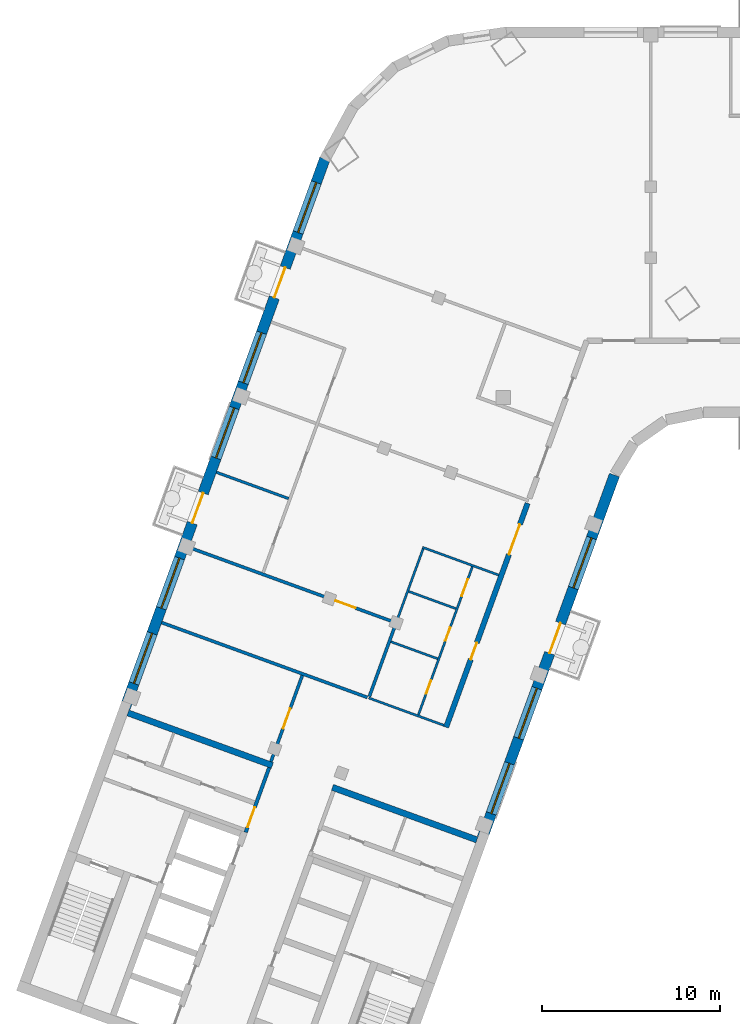
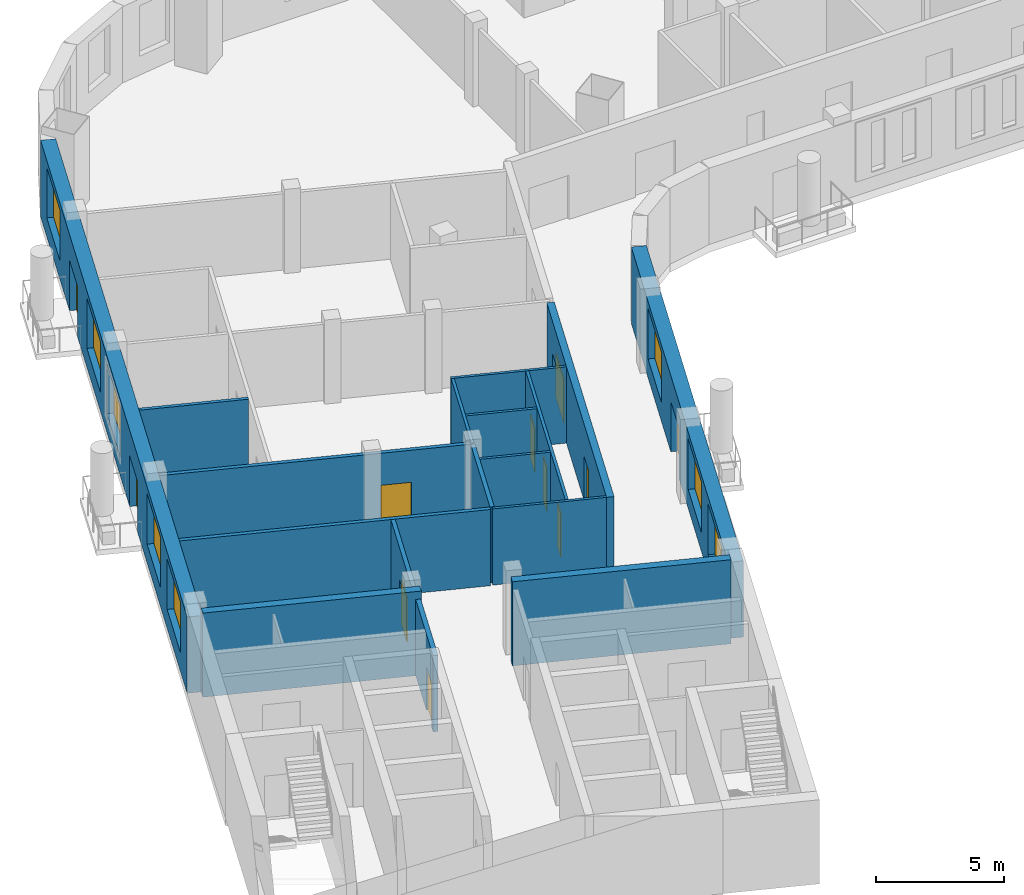
# One storey, part 3 of 11: 17 walls, 11 doors, 8 windows, 19 openings.
"""IFC4 building model written with IfcOpenShell, lengths in metres."""

from ifc_helpers import new_model, si_unit, direction, frame, frame_2d, origin, place, context, subcontext, project, spatial, rectangle, extrude, material, layer, layer_set, type_object, element, fill, save


model = new_model("IFC4")

# Units and contexts
model_context = context("Model", 3, precision=1e-05, world=origin(), true_north=direction((0.0, 1.0)))
body_context = subcontext(model_context, "Body", "Model", "MODEL_VIEW")
ifc_project = project(units=[si_unit("LENGTHUNIT", "METRE"), si_unit("AREAUNIT", "SQUARE_METRE"), si_unit("VOLUMEUNIT", "CUBIC_METRE"), si_unit("PLANEANGLEUNIT", "RADIAN"), si_unit("MASSUNIT", "GRAM", prefix="KILO")], contexts=[model_context])

# Site, building, storey
site_placement = place(None, origin())
site = spatial("IfcSite", under=ifc_project, at=site_placement, CompositionType="ELEMENT")
building_placement = place(site_placement, origin())
building = spatial("IfcBuilding", under=site, at=building_placement, Name="Skarvind Civic Tower", CompositionType="ELEMENT")
storey_placement = place(building_placement, frame((0.0, 0.0, 142.5)))
storey = spatial("IfcBuildingStorey", under=building, at=storey_placement, Name="L33", CompositionType="ELEMENT", Elevation=142.5)

# Wall
ifc_material_1 = material(Name="Acoustic gypsum board on steel studs", Category="steel")
ifc_layer_1 = layer(ifc_material_1, 0.175048828125)
ifc_layer_set_1 = layer_set([ifc_layer_1], Name="ACOUSTIC MEETING-ROOM PARTITION 175")
wall_type_1 = type_object("IfcWallType", Name="ACOUSTIC MEETING-ROOM PARTITION 175", PredefinedType="PARTITIONING", material=ifc_layer_set_1)
wall_1_placement = place(storey_placement, frame((26.736083984375, 105.47998046875, 0.0), z_axis=(0.0, 0.0, 1.0), x_axis=(0.939721611154, -0.341940482438, 0.0)))
element("IfcWall", 1, at=wall_1_placement, inside=storey, type_object=wall_type_1, Name="Partition 33.001", PredefinedType="PARTITIONING", context=body_context, shape_type="SweptSolid", body=[
    extrude(rectangle(XDim=12.31201171875, YDim=0.175048828125, at=frame_2d((6.156005859375, 0.0))), origin(), (0.0, 0.0, 1.0), 3.625),
])

# Wall, opening, door
wall_2_placement = place(storey_placement, frame((32.881103515625, 97.656982421875, 0.0), z_axis=(0.0, 0.0, 1.0), x_axis=(0.342058204353, 0.939678766832, 0.0)))
wall_2 = element("IfcWall", 2, at=wall_2_placement, inside=storey, type_object=wall_type_1, Name="Partition 33.006", PredefinedType="PARTITIONING", context=body_context, shape_type="SweptSolid", body=[
    extrude(rectangle(XDim=5.16259765625, YDim=0.175048828125, at=frame_2d((2.581298828125, 0.0))), origin(), (0.0, 0.0, 1.0), 3.625),
])
opening_1_placement = place(wall_2_placement, frame((1.9912109375, 0.0, 0.0)))
opening_1 = element("IfcOpeningElement", 3, at=opening_1_placement, cuts=wall_2, Name="Opening L33-D012", PredefinedType="OPENING", context=body_context, shape_type="SweptSolid", body=[
    extrude(rectangle(XDim=1.199951171875, YDim=2.10009765625, at=frame_2d((0.60009765625, 1.050048828125))), frame((0.0, 0.097412109375, 0.0), z_axis=(0.0, -1.0, 0.0), x_axis=(1.0, 0.0, 0.0)), (0.0, 0.0, 1.0), 0.195068359375),
])
ifc_material_2 = material(Name="Timber door leaf", Category="wood")
door_type_1 = type_object("IfcDoorType", Name="DOOR 1200X2100 DOUBLE TIMBER", OperationType="NOTDEFINED", PredefinedType="DOOR", material=ifc_material_2)
door_1_placement = place(opening_1_placement, origin())
door_1 = element("IfcDoor", 4, at=door_1_placement, inside=storey, type_object=door_type_1, Name="Door L33-D012", OperationType="DOUBLE_DOOR_SINGLE_SWING", OverallHeight=2.10009765625, OverallWidth=1.199951171875, PredefinedType="DOOR", context=body_context, shape_type="SweptSolid", body=[
    extrude(rectangle(XDim=1.199951171875, YDim=2.10009765625, at=frame_2d((0.60009765625, 1.050048828125))), frame((0.0, 0.02490234375, 0.0), z_axis=(0.0, -1.0, 0.0), x_axis=(1.0, 0.0, 0.0)), (0.0, 0.0, 1.0), 0.050048828125),
])
fill(opening_1, door_1)

# Wall
wall_3_placement = place(storey_placement, frame((38.41796875, 101.322021484375, 0.0), z_axis=(0.0, 0.0, 1.0), x_axis=(0.341987815327, 0.939704386585, 0.0)))
element("IfcWall", 5, at=wall_3_placement, inside=storey, type_object=wall_type_1, Name="Partition 33.009", PredefinedType="PARTITIONING", context=body_context, shape_type="SweptSolid", body=[
    extrude(rectangle(XDim=4.32470703125, YDim=0.175048828125, at=frame_2d((2.162353515625, 0.0))), origin(), (0.0, 0.0, 1.0), 3.625),
])

# Wall, opening, door
wall_4_placement = place(storey_placement, frame((28.27490234375, 109.708984375, 0.0), z_axis=(0.0, 0.0, 1.0), x_axis=(0.939698441386, -0.342004150936, 0.0)))
wall_4 = element("IfcWall", 6, at=wall_4_placement, inside=storey, type_object=wall_type_1, Name="Partition 33.011", PredefinedType="PARTITIONING", context=body_context, shape_type="SweptSolid", body=[
    extrude(rectangle(XDim=12.3125, YDim=0.175048828125, at=frame_2d((6.15625, 0.0))), origin(), (0.0, 0.0, 1.0), 3.625),
])
opening_2_placement = place(wall_4_placement, frame((8.764892578125, 0.0, 0.0)))
opening_2 = element("IfcOpeningElement", 7, at=opening_2_placement, cuts=wall_4, Name="Opening L33-D024", PredefinedType="OPENING", context=body_context, shape_type="SweptSolid", body=[
    extrude(rectangle(XDim=1.199951171875, YDim=2.10009765625, at=frame_2d((0.60009765625, 1.050048828125))), frame((0.0, 0.097412109375, 0.0), z_axis=(0.0, -1.0, 0.0), x_axis=(1.0, 0.0, 0.0)), (0.0, 0.0, 1.0), 0.195068359375),
])
door_2_placement = place(opening_2_placement, origin())
door_2 = element("IfcDoor", 8, at=door_2_placement, inside=storey, type_object=door_type_1, Name="Door L33-D024", OperationType="DOUBLE_DOOR_SINGLE_SWING", OverallHeight=2.10009765625, OverallWidth=1.199951171875, PredefinedType="DOOR", context=body_context, shape_type="SweptSolid", body=[
    extrude(rectangle(XDim=1.199951171875, YDim=2.10009765625, at=frame_2d((0.60009765625, 1.050048828125))), frame((0.0, 0.02490234375, 0.0), z_axis=(0.0, -1.0, 0.0), x_axis=(1.0, 0.0, 0.0)), (0.0, 0.0, 1.0), 0.050048828125),
])
fill(opening_2, door_2)

# Wall, openings, doors
ifc_material_3 = material(Name="Fire-rated gypsum board on steel studs", Category="steel")
ifc_layer_2 = layer(ifc_material_3, 0.300048828125)
ifc_layer_set_2 = layer_set([ifc_layer_2], Name="CORRIDOR WALL 300")
wall_type_2 = type_object("IfcWallType", Name="CORRIDOR WALL 300", PredefinedType="PARTITIONING", material=ifc_layer_set_2)
wall_5_placement = place(storey_placement, frame((47.324951171875, 112.197021484375, 0.0), z_axis=(0.0, 0.0, 1.0), x_axis=(-0.341976837053, -0.93970838185, 0.0)))
wall_5 = element("IfcWall", 9, at=wall_5_placement, inside=storey, type_object=wall_type_2, Name="Partition 33.018", PredefinedType="PARTITIONING", context=body_context, shape_type="SweptSolid", body=[
    extrude(rectangle(XDim=13.415771484375, YDim=0.300048828125, at=frame_2d((6.7080078125, 0.0))), origin(), (0.0, 0.0, 1.0), 3.625),
])
opening_3_placement = place(wall_5_placement, frame((8.353515625, 0.0, 0.0)))
opening_3 = element("IfcOpeningElement", 10, at=opening_3_placement, cuts=wall_5, Name="Opening L33-D013", PredefinedType="OPENING", context=body_context, shape_type="SweptSolid", body=[
    extrude(rectangle(XDim=1.0, YDim=2.10009765625, at=frame_2d((0.5, 1.050048828125))), frame((0.0, 0.159912109375, 0.0), z_axis=(0.0, -1.0, 0.0), x_axis=(1.0, 0.0, 0.0)), (0.0, 0.0, 1.0), 0.320068359375),
])
opening_4_placement = place(wall_5_placement, frame((1.2666015625, 0.0, 0.0)))
opening_4 = element("IfcOpeningElement", 11, at=opening_4_placement, cuts=wall_5, Name="Opening L33-D019", PredefinedType="OPENING", context=body_context, shape_type="SweptSolid", body=[
    extrude(rectangle(XDim=1.800048828125, YDim=2.10009765625, at=frame_2d((0.89990234375, 1.050048828125))), frame((0.0, 0.159912109375, 0.0), z_axis=(0.0, -1.0, 0.0), x_axis=(1.0, 0.0, 0.0)), (0.0, 0.0, 1.0), 0.320068359375),
])
ifc_material_4 = material(Name="Fire-rated timber door leaf", Category="wood")
door_type_2 = type_object("IfcDoorType", Name="FD1 1000x2100", OperationType="NOTDEFINED", PredefinedType="DOOR", material=ifc_material_4)
door_3_placement = place(opening_3_placement, origin())
door_3 = element("IfcDoor", 12, at=door_3_placement, inside=storey, type_object=door_type_2, Name="Door L33-D013", OperationType="SINGLE_SWING_LEFT", OverallHeight=2.10009765625, OverallWidth=1.0, PredefinedType="DOOR", context=body_context, shape_type="SweptSolid", body=[
    extrude(rectangle(XDim=1.0, YDim=2.10009765625, at=frame_2d((0.5, 1.050048828125))), frame((0.0, 0.02490234375, 0.0), z_axis=(0.0, -1.0, 0.0), x_axis=(1.0, 0.0, 0.0)), (0.0, 0.0, 1.0), 0.050048828125),
])
fill(opening_3, door_3)
door_type_3 = type_object("IfcDoorType", Name="FD4 1800x2100", OperationType="NOTDEFINED", PredefinedType="DOOR", material=ifc_material_4)
door_4_placement = place(opening_4_placement, origin())
door_4 = element("IfcDoor", 13, at=door_4_placement, inside=storey, type_object=door_type_3, Name="Door L33-D019", OperationType="DOUBLE_DOOR_SINGLE_SWING", OverallHeight=2.10009765625, OverallWidth=1.800048828125, PredefinedType="DOOR", context=body_context, shape_type="SweptSolid", body=[
    extrude(rectangle(XDim=1.800048828125, YDim=2.10009765625, at=frame_2d((0.89990234375, 1.050048828125))), frame((0.0, 0.02490234375, 0.0), z_axis=(0.0, -1.0, 0.0), x_axis=(1.0, 0.0, 0.0)), (0.0, 0.0, 1.0), 0.050048828125),
])
fill(opening_4, door_4)

# Wall, opening, door
ifc_material_5 = material(Name="Fire-rated masonry partition", Category="masonry")
ifc_layer_3 = layer(ifc_material_5, 0.199951171875)
ifc_layer_set_3 = layer_set([ifc_layer_3], Name="Core enclosure wall 200")
wall_type_3 = type_object("IfcWallType", Name="Core enclosure wall 200", PredefinedType="PARTITIONING", material=ifc_layer_set_3)
wall_6_placement = place(storey_placement, frame((31.45947265625, 93.67822265625, 0.0), z_axis=(0.0, 0.0, 1.0), x_axis=(0.341985870128, 0.939705094502, 0.0)))
wall_6 = element("IfcWall", 14, at=wall_6_placement, inside=storey, type_object=wall_type_3, Name="Core wall C2", PredefinedType="PARTITIONING", context=body_context, shape_type="SweptSolid", body=[
    extrude(rectangle(XDim=3.875, YDim=0.199951171875, at=frame_2d((1.9375, 0.0))), origin(), (0.0, 0.0, 1.0), 3.625),
])
opening_5_placement = place(wall_6_placement, frame((0.300048828125, 0.0, 0.0)))
opening_5 = element("IfcOpeningElement", 15, at=opening_5_placement, cuts=wall_6, Name="Opening D-L33-C2-07", PredefinedType="OPENING", context=body_context, shape_type="SweptSolid", body=[
    extrude(rectangle(XDim=1.199951171875, YDim=2.10009765625, at=frame_2d((0.60009765625, 1.050048828125))), frame((0.0, 0.10986328125, 0.0), z_axis=(0.0, -1.0, 0.0), x_axis=(1.0, 0.0, 0.0)), (0.0, 0.0, 1.0), 0.219970703125),
])
ifc_material_6 = material(Name="Fire-rated steel door", Category="steel")
door_type_4 = type_object("IfcDoorType", Name="Core lobby door 1200", OperationType="NOTDEFINED", PredefinedType="DOOR", material=ifc_material_6)
door_5_placement = place(opening_5_placement, origin())
door_5 = element("IfcDoor", 16, at=door_5_placement, inside=storey, type_object=door_type_4, Name="Fire door", OperationType="DOUBLE_DOOR_SINGLE_SWING", OverallHeight=2.10009765625, OverallWidth=1.199951171875, PredefinedType="DOOR", context=body_context, shape_type="SweptSolid", body=[
    extrude(rectangle(XDim=1.199951171875, YDim=2.10009765625, at=frame_2d((0.60009765625, 1.050048828125))), frame((0.0, 0.02490234375, 0.0), z_axis=(0.0, -1.0, 0.0), x_axis=(1.0, 0.0, 0.0)), (0.0, 0.0, 1.0), 0.050048828125),
])
fill(opening_5, door_5)

# Walls
ifc_material_7 = material(Name="Concrete C60", Category="concrete")
ifc_layer_4 = layer(ifc_material_7, 0.35009765625)
ifc_layer_set_4 = layer_set([ifc_layer_4], Name="Core wall 350 C60")
wall_type_4 = type_object("IfcWallType", Name="Core wall 350 C60", PredefinedType="SHEAR", material=ifc_layer_set_4)
wall_7_placement = place(storey_placement, frame((44.473388671875, 93.25146484375, 0.0), z_axis=(0.0, 0.0, 1.0), x_axis=(-0.939692847377, 0.34201952077, 0.0)))
element("IfcWall", 17, at=wall_7_placement, inside=storey, type_object=wall_type_4, Name="Core wall C2 south inner face L33", PredefinedType="SHEAR", context=body_context, shape_type="SweptSolid", body=[
    extrude(rectangle(XDim=8.650146484375, YDim=0.35009765625, at=frame_2d((4.3251953125, 0.0))), origin(), (0.0, 0.0, 1.0), 4.0),
])
wall_8_placement = place(storey_placement, frame((32.9619140625, 97.44140625, 0.0), z_axis=(0.0, 0.0, 1.0), x_axis=(-0.939689545667, 0.342028592028, 0.0)))
element("IfcWall", 18, at=wall_8_placement, inside=storey, type_object=wall_type_4, Name="Core wall C2 north inner face L33", PredefinedType="SHEAR", context=body_context, shape_type="SweptSolid", body=[
    extrude(rectangle(XDim=8.64990234375, YDim=0.35009765625, at=frame_2d((4.324951171875, 0.0))), origin(), (0.0, 0.0, 1.0), 4.0),
])
ifc_material_8 = material(Name="Plasterboard partition on steel studs", Category="steel")
ifc_layer_5 = layer(ifc_material_8, 0.14990234375)
ifc_layer_set_5 = layer_set([ifc_layer_5], Name="PARTITION 150")
wall_type_5 = type_object("IfcWallType", Name="PARTITION 150", PredefinedType="PARTITIONING", material=ifc_layer_set_5)
wall_9_placement = place(storey_placement, frame((29.81396484375, 113.93798828125, 0.0), z_axis=(0.0, 0.0, 1.0), x_axis=(0.93973078783, -0.341915262023, 0.0)))
element("IfcWall", 19, at=wall_9_placement, inside=storey, type_object=wall_type_5, Name="Partition 33.002", PredefinedType="PARTITIONING", context=body_context, shape_type="SweptSolid", body=[
    extrude(rectangle(XDim=4.32568359375, YDim=0.14990234375, at=frame_2d((2.162841796875, 0.0))), origin(), (0.0, 0.0, 1.0), 3.625),
])
ifc_material_9 = material(Name="Moisture-resistant gypsum board on steel studs", Category="steel")
ifc_layer_6 = layer(ifc_material_9, 0.125)
ifc_layer_set_6 = layer_set([ifc_layer_6], Name="WC PARTITION 125")
wall_type_6 = type_object("IfcWallType", Name="WC PARTITION 125", PredefinedType="PARTITIONING", material=ifc_layer_set_6)
wall_10_placement = place(storey_placement, frame((38.385009765625, 101.239990234375, 0.0), z_axis=(0.0, 0.0, 1.0), x_axis=(0.939711088937, -0.341969398235, 0.0)))
element("IfcWall", 20, at=wall_10_placement, inside=storey, type_object=wall_type_6, Name="Partition 33.007", PredefinedType="PARTITIONING", context=body_context, shape_type="SweptSolid", body=[
    extrude(rectangle(XDim=4.50341796875, YDim=0.125, at=frame_2d((2.251708984375, 0.0))), origin(), (0.0, 0.0, 1.0), 3.625),
])
wall_11_placement = place(storey_placement, frame((39.926025390625, 105.465087890625, 0.0), z_axis=(0.0, 0.0, 1.0), x_axis=(0.342263852659, 0.93960388205, 0.0)))
element("IfcWall", 21, at=wall_11_placement, inside=storey, type_object=wall_type_6, Name="Partition 33.010", PredefinedType="PARTITIONING", context=body_context, shape_type="SweptSolid", body=[
    extrude(rectangle(XDim=4.441162109375, YDim=0.125, at=frame_2d((2.220703125, 0.0))), origin(), (0.0, 0.0, 1.0), 3.625),
])

# Wall, openings, doors
wall_12_placement = place(storey_placement, frame((41.180908203125, 100.2900390625, 0.0), z_axis=(0.0, 0.0, 1.0), x_axis=(0.34222012082, 0.939619810831, 0.0)))
wall_12 = element("IfcWall", 22, at=wall_12_placement, inside=storey, type_object=wall_type_6, Name="Partition 33.014", PredefinedType="PARTITIONING", context=body_context, shape_type="SweptSolid", body=[
    extrude(rectangle(XDim=8.874755859375, YDim=0.125, at=frame_2d((4.4375, 0.0))), origin(), (0.0, 0.0, 1.0), 3.625),
])
opening_6_placement = place(wall_12_placement, frame((1.25830078125, 0.0, 0.0)))
opening_6 = element("IfcOpeningElement", 23, at=opening_6_placement, cuts=wall_12, Name="Opening L33-D014", PredefinedType="OPENING", context=body_context, shape_type="SweptSolid", body=[
    extrude(rectangle(XDim=0.800048828125, YDim=2.10009765625, at=frame_2d((0.39990234375, 1.050048828125))), frame((0.0, 0.072509765625, 0.0), z_axis=(0.0, -1.0, 0.0), x_axis=(1.0, 0.0, 0.0)), (0.0, 0.0, 1.0), 0.14501953125),
])
opening_7_placement = place(wall_12_placement, frame((4.43701171875, 0.0, 0.0)))
opening_7 = element("IfcOpeningElement", 24, at=opening_7_placement, cuts=wall_12, Name="Opening L33-D015", PredefinedType="OPENING", context=body_context, shape_type="SweptSolid", body=[
    extrude(rectangle(XDim=0.800048828125, YDim=2.10009765625, at=frame_2d((0.39990234375, 1.050048828125))), frame((0.0, 0.072509765625, 0.0), z_axis=(0.0, -1.0, 0.0), x_axis=(1.0, 0.0, 0.0)), (0.0, 0.0, 1.0), 0.14501953125),
])
opening_8_placement = place(wall_12_placement, frame((7.1162109375, 0.0, 0.0)))
opening_8 = element("IfcOpeningElement", 25, at=opening_8_placement, cuts=wall_12, Name="Opening L33-D016", PredefinedType="OPENING", context=body_context, shape_type="SweptSolid", body=[
    extrude(rectangle(XDim=1.0, YDim=2.10009765625, at=frame_2d((0.5, 1.050048828125))), frame((0.0, 0.072509765625, 0.0), z_axis=(0.0, -1.0, 0.0), x_axis=(1.0, 0.0, 0.0)), (0.0, 0.0, 1.0), 0.14501953125),
])
door_type_5 = type_object("IfcDoorType", Name="D1 1000x2100", OperationType="NOTDEFINED", PredefinedType="DOOR", material=ifc_material_2)
door_6_placement = place(opening_8_placement, origin())
door_6 = element("IfcDoor", 26, at=door_6_placement, inside=storey, type_object=door_type_5, Name="Door L33-D016", OperationType="SINGLE_SWING_LEFT", OverallHeight=2.10009765625, OverallWidth=1.0, PredefinedType="DOOR", context=body_context, shape_type="SweptSolid", body=[
    extrude(rectangle(XDim=1.0, YDim=2.10009765625, at=frame_2d((0.5, 1.050048828125))), frame((0.0, 0.02490234375, 0.0), z_axis=(0.0, -1.0, 0.0), x_axis=(1.0, 0.0, 0.0)), (0.0, 0.0, 1.0), 0.050048828125),
])
fill(opening_8, door_6)
door_type_6 = type_object("IfcDoorType", Name="DOOR 800X2100 TIMBER", OperationType="NOTDEFINED", PredefinedType="DOOR", material=ifc_material_2)
door_7_placement = place(opening_6_placement, origin())
door_7 = element("IfcDoor", 27, at=door_7_placement, inside=storey, type_object=door_type_6, Name="Door L33-D014", OperationType="SINGLE_SWING_LEFT", OverallHeight=2.10009765625, OverallWidth=0.800048828125, PredefinedType="DOOR", context=body_context, shape_type="SweptSolid", body=[
    extrude(rectangle(XDim=0.800048828125, YDim=2.10009765625, at=frame_2d((0.39990234375, 1.050048828125))), frame((0.0, 0.02490234375, 0.0), z_axis=(0.0, -1.0, 0.0), x_axis=(1.0, 0.0, 0.0)), (0.0, 0.0, 1.0), 0.050048828125),
])
fill(opening_6, door_7)
door_8_placement = place(opening_7_placement, origin())
door_8 = element("IfcDoor", 28, at=door_8_placement, inside=storey, type_object=door_type_6, Name="Door L33-D015", OperationType="SINGLE_SWING_LEFT", OverallHeight=2.10009765625, OverallWidth=0.800048828125, PredefinedType="DOOR", context=body_context, shape_type="SweptSolid", body=[
    extrude(rectangle(XDim=0.800048828125, YDim=2.10009765625, at=frame_2d((0.39990234375, 1.050048828125))), frame((0.0, 0.02490234375, 0.0), z_axis=(0.0, -1.0, 0.0), x_axis=(1.0, 0.0, 0.0)), (0.0, 0.0, 1.0), 0.050048828125),
])
fill(opening_7, door_8)

# Walls
wall_13_placement = place(storey_placement, frame((41.407958984375, 109.718017578125, 0.0), z_axis=(0.0, 0.0, 1.0), x_axis=(0.939646475447, -0.3421469, 0.0)))
element("IfcWall", 29, at=wall_13_placement, inside=storey, type_object=wall_type_6, Name="Partition 33.015", PredefinedType="PARTITIONING", context=body_context, shape_type="SweptSolid", body=[
    extrude(rectangle(XDim=4.5625, YDim=0.125, at=frame_2d((2.28125, 0.0))), origin(), (0.0, 0.0, 1.0), 3.625),
])
wall_14_placement = place(storey_placement, frame((42.263916015625, 103.446044921875, 0.0), z_axis=(0.0, 0.0, 1.0), x_axis=(-0.939640574808, 0.342163104635, 0.0)))
element("IfcWall", 30, at=wall_14_placement, inside=storey, type_object=wall_type_6, Name="Partition 33.016", PredefinedType="PARTITIONING", context=body_context, shape_type="SweptSolid", body=[
    extrude(rectangle(XDim=2.7998046875, YDim=0.125, at=frame_2d((1.39990234375, 0.0))), origin(), (0.0, 0.0, 1.0), 3.625),
])
wall_15_placement = place(storey_placement, frame((43.2900390625, 106.26611328125, 0.0), z_axis=(0.0, 0.0, 1.0), x_axis=(-0.939601484935, 0.342270433294, 0.0)))
element("IfcWall", 31, at=wall_15_placement, inside=storey, type_object=wall_type_6, Name="Partition 33.019", PredefinedType="PARTITIONING", context=body_context, shape_type="SweptSolid", body=[
    extrude(rectangle(XDim=2.82470703125, YDim=0.125, at=frame_2d((1.412353515625, 0.0))), origin(), (0.0, 0.0, 1.0), 3.625),
])

# Wall, openings, door, windows
ifc_material_10 = material(Name="Limestone masonry cladding on insulated backing", Category="masonry")
ifc_layer_7 = layer(ifc_material_10, 0.60009765625)
ifc_layer_set_7 = layer_set([ifc_layer_7], Name="WX1 STONE FACADE WALL 600")
wall_type_7 = type_object("IfcWallType", Name="WX1 STONE FACADE WALL 600", PredefinedType="SOLIDWALL", material=ifc_layer_set_7)
wall_16_placement = place(storey_placement, frame((52.212158203125, 113.78271484375, 0.0), z_axis=(0.0, 0.0, 1.0), x_axis=(-0.34202521188, -0.939690775968, 0.0)))
wall_16 = element("IfcWall", 32, at=wall_16_placement, inside=storey, type_object=wall_type_7, Name="STONE FACADE WALL", PredefinedType="SOLIDWALL", context=body_context, shape_type="SweptSolid", body=[
    extrude(rectangle(XDim=21.744873046875, YDim=0.60009765625, at=frame_2d((10.87255859375, 0.0))), origin(), (0.0, 0.0, 1.0), 3.625),
])
opening_9_placement = place(wall_16_placement, frame((3.764892578125, 0.0, 0.89990234375)))
opening_9 = element("IfcOpeningElement", 33, at=opening_9_placement, cuts=wall_16, Name="Opening WN1", PredefinedType="OPENING", context=body_context, shape_type="SweptSolid", body=[
    extrude(rectangle(XDim=3.0, YDim=2.39990234375, at=frame_2d((1.5, 1.199951171875))), frame((0.0, 0.31005859375, 0.0), z_axis=(0.0, -1.0, 0.0), x_axis=(1.0, 0.0, 0.0)), (0.0, 0.0, 1.0), 0.6201171875),
])
opening_10_placement = place(wall_16_placement, frame((8.864990234375, 0.0, 0.0)))
opening_10 = element("IfcOpeningElement", 34, at=opening_10_placement, cuts=wall_16, Name="Opening DX3", PredefinedType="OPENING", context=body_context, shape_type="SweptSolid", body=[
    extrude(rectangle(XDim=1.800048828125, YDim=2.39990234375, at=frame_2d((0.89990234375, 1.199951171875))), frame((0.0, 0.31005859375, 0.0), z_axis=(0.0, -1.0, 0.0), x_axis=(1.0, 0.0, 0.0)), (0.0, 0.0, 1.0), 0.6201171875),
])
opening_11_placement = place(wall_16_placement, frame((12.764892578125, 0.0, 0.89990234375)))
opening_11 = element("IfcOpeningElement", 35, at=opening_11_placement, cuts=wall_16, Name="Opening WN1", PredefinedType="OPENING", context=body_context, shape_type="SweptSolid", body=[
    extrude(rectangle(XDim=3.0, YDim=2.39990234375, at=frame_2d((1.5, 1.199951171875))), frame((0.0, 0.31005859375, 0.0), z_axis=(0.0, -1.0, 0.0), x_axis=(1.0, 0.0, 0.0)), (0.0, 0.0, 1.0), 0.6201171875),
])
opening_12_placement = place(wall_16_placement, frame((17.264892578125, 0.0, 0.89990234375)))
opening_12 = element("IfcOpeningElement", 36, at=opening_12_placement, cuts=wall_16, Name="Opening WN1", PredefinedType="OPENING", context=body_context, shape_type="SweptSolid", body=[
    extrude(rectangle(XDim=3.0, YDim=2.39990234375, at=frame_2d((1.5, 1.199951171875))), frame((0.0, 0.31005859375, 0.0), z_axis=(0.0, -1.0, 0.0), x_axis=(1.0, 0.0, 0.0)), (0.0, 0.0, 1.0), 0.6201171875),
])
ifc_material_11 = material(Name="Timber and glass doorset", Category="wood")
door_type_7 = type_object("IfcDoorType", Name="DX3 TERRACE DOORS 1800 x 2400", OperationType="NOTDEFINED", PredefinedType="DOOR", material=ifc_material_11)
door_9_placement = place(opening_10_placement, origin())
door_9 = element("IfcDoor", 37, at=door_9_placement, inside=storey, type_object=door_type_7, Name="TERRACE DOORS", OperationType="DOUBLE_DOOR_SINGLE_SWING", OverallHeight=2.39990234375, OverallWidth=1.800048828125, PredefinedType="DOOR", context=body_context, shape_type="SweptSolid", body=[
    extrude(rectangle(XDim=1.800048828125, YDim=2.39990234375, at=frame_2d((0.89990234375, 1.199951171875))), frame((0.0, 0.02490234375, 0.0), z_axis=(0.0, -1.0, 0.0), x_axis=(1.0, 0.0, 0.0)), (0.0, 0.0, 1.0), 0.050048828125),
])
fill(opening_10, door_9)
ifc_material_12 = material(Name="Timber frame, double glazing, timber-lined reveal", Category="wood")
window_type = type_object("IfcWindowType", Name="WN1 PUNCHED STONE WINDOW 3000 x 2400", PartitioningType="SINGLE_PANEL", PredefinedType="WINDOW", material=ifc_material_12)
window_1_placement = place(opening_9_placement, origin())
window_1 = element("IfcWindow", 38, at=window_1_placement, inside=storey, type_object=window_type, Name="WN1 WINDOW", OverallHeight=2.39990234375, OverallWidth=3.0, PartitioningType="SINGLE_PANEL", PredefinedType="WINDOW", context=body_context, shape_type="SweptSolid", body=[
    extrude(rectangle(XDim=3.0, YDim=2.39990234375, at=frame_2d((1.5, 1.199951171875))), frame((0.0, 0.030029296875, 0.0), z_axis=(0.0, -1.0, 0.0), x_axis=(1.0, 0.0, 0.0)), (0.0, 0.0, 1.0), 0.06005859375),
])
fill(opening_9, window_1)
window_2_placement = place(opening_11_placement, origin())
window_2 = element("IfcWindow", 39, at=window_2_placement, inside=storey, type_object=window_type, Name="WN1 WINDOW", OverallHeight=2.39990234375, OverallWidth=3.0, PartitioningType="SINGLE_PANEL", PredefinedType="WINDOW", context=body_context, shape_type="SweptSolid", body=[
    extrude(rectangle(XDim=3.0, YDim=2.39990234375, at=frame_2d((1.5, 1.199951171875))), frame((0.0, 0.030029296875, 0.0), z_axis=(0.0, -1.0, 0.0), x_axis=(1.0, 0.0, 0.0)), (0.0, 0.0, 1.0), 0.06005859375),
])
fill(opening_11, window_2)
window_3_placement = place(opening_12_placement, origin())
window_3 = element("IfcWindow", 40, at=window_3_placement, inside=storey, type_object=window_type, Name="WN1 WINDOW", OverallHeight=2.39990234375, OverallWidth=3.0, PartitioningType="SINGLE_PANEL", PredefinedType="WINDOW", context=body_context, shape_type="SweptSolid", body=[
    extrude(rectangle(XDim=3.0, YDim=2.39990234375, at=frame_2d((1.5, 1.199951171875))), frame((0.0, 0.030029296875, 0.0), z_axis=(0.0, -1.0, 0.0), x_axis=(1.0, 0.0, 0.0)), (0.0, 0.0, 1.0), 0.06005859375),
])
fill(opening_12, window_3)

# Wall, openings, doors, windows
wall_17_placement = place(storey_placement, frame((24.66552734375, 100.668701171875, 0.0), z_axis=(0.0, 0.0, 1.0), x_axis=(0.34201964167, 0.939692803373, 0.0)))
wall_17 = element("IfcWall", 41, at=wall_17_placement, inside=storey, type_object=wall_type_7, Name="STONE FACADE WALL", PredefinedType="SOLIDWALL", context=body_context, shape_type="SweptSolid", body=[
    extrude(rectangle(XDim=32.88427734375, YDim=0.60009765625, at=frame_2d((16.442138671875, 0.0))), origin(), (0.0, 0.0, 1.0), 3.625),
])
opening_13_placement = place(wall_17_placement, frame((1.47998046875, 0.0, 0.89990234375)))
opening_13 = element("IfcOpeningElement", 42, at=opening_13_placement, cuts=wall_17, Name="Opening WN1", PredefinedType="OPENING", context=body_context, shape_type="SweptSolid", body=[
    extrude(rectangle(XDim=3.0, YDim=2.39990234375, at=frame_2d((1.5, 1.199951171875))), frame((0.0, 0.31005859375, 0.0), z_axis=(0.0, -1.0, 0.0), x_axis=(1.0, 0.0, 0.0)), (0.0, 0.0, 1.0), 0.6201171875),
])
opening_14_placement = place(wall_17_placement, frame((5.97998046875, 0.0, 0.89990234375)))
opening_14 = element("IfcOpeningElement", 43, at=opening_14_placement, cuts=wall_17, Name="Opening WN1", PredefinedType="OPENING", context=body_context, shape_type="SweptSolid", body=[
    extrude(rectangle(XDim=3.0, YDim=2.39990234375, at=frame_2d((1.5, 1.199951171875))), frame((0.0, 0.31005859375, 0.0), z_axis=(0.0, -1.0, 0.0), x_axis=(1.0, 0.0, 0.0)), (0.0, 0.0, 1.0), 0.6201171875),
])
opening_15_placement = place(wall_17_placement, frame((11.080078125, 0.0, 0.0)))
opening_15 = element("IfcOpeningElement", 44, at=opening_15_placement, cuts=wall_17, Name="Opening DX3", PredefinedType="OPENING", context=body_context, shape_type="SweptSolid", body=[
    extrude(rectangle(XDim=1.800048828125, YDim=2.39990234375, at=frame_2d((0.89990234375, 1.199951171875))), frame((0.0, 0.31005859375, 0.0), z_axis=(0.0, -1.0, 0.0), x_axis=(1.0, 0.0, 0.0)), (0.0, 0.0, 1.0), 0.6201171875),
])
opening_16_placement = place(wall_17_placement, frame((14.97998046875, 0.0, 0.89990234375)))
opening_16 = element("IfcOpeningElement", 45, at=opening_16_placement, cuts=wall_17, Name="Opening WN1", PredefinedType="OPENING", context=body_context, shape_type="SweptSolid", body=[
    extrude(rectangle(XDim=3.0, YDim=2.39990234375, at=frame_2d((1.5, 1.199951171875))), frame((0.0, 0.31005859375, 0.0), z_axis=(0.0, -1.0, 0.0), x_axis=(1.0, 0.0, 0.0)), (0.0, 0.0, 1.0), 0.6201171875),
])
opening_17_placement = place(wall_17_placement, frame((19.47998046875, 0.0, 0.89990234375)))
opening_17 = element("IfcOpeningElement", 46, at=opening_17_placement, cuts=wall_17, Name="Opening WN1", PredefinedType="OPENING", context=body_context, shape_type="SweptSolid", body=[
    extrude(rectangle(XDim=3.0, YDim=2.39990234375, at=frame_2d((1.5, 1.199951171875))), frame((0.0, 0.31005859375, 0.0), z_axis=(0.0, -1.0, 0.0), x_axis=(1.0, 0.0, 0.0)), (0.0, 0.0, 1.0), 0.6201171875),
])
opening_18_placement = place(wall_17_placement, frame((24.580078125, 0.0, 0.0)))
opening_18 = element("IfcOpeningElement", 47, at=opening_18_placement, cuts=wall_17, Name="Opening DX3", PredefinedType="OPENING", context=body_context, shape_type="SweptSolid", body=[
    extrude(rectangle(XDim=1.800048828125, YDim=2.39990234375, at=frame_2d((0.89990234375, 1.199951171875))), frame((0.0, 0.31005859375, 0.0), z_axis=(0.0, -1.0, 0.0), x_axis=(1.0, 0.0, 0.0)), (0.0, 0.0, 1.0), 0.6201171875),
])
opening_19_placement = place(wall_17_placement, frame((28.47998046875, 0.0, 0.89990234375)))
opening_19 = element("IfcOpeningElement", 48, at=opening_19_placement, cuts=wall_17, Name="Opening WN1", PredefinedType="OPENING", context=body_context, shape_type="SweptSolid", body=[
    extrude(rectangle(XDim=3.0, YDim=2.39990234375, at=frame_2d((1.5, 1.199951171875))), frame((0.0, 0.31005859375, 0.0), z_axis=(0.0, -1.0, 0.0), x_axis=(1.0, 0.0, 0.0)), (0.0, 0.0, 1.0), 0.6201171875),
])
door_10_placement = place(opening_15_placement, origin())
door_10 = element("IfcDoor", 49, at=door_10_placement, inside=storey, type_object=door_type_7, Name="TERRACE DOORS", OperationType="DOUBLE_DOOR_SINGLE_SWING", OverallHeight=2.39990234375, OverallWidth=1.800048828125, PredefinedType="DOOR", context=body_context, shape_type="SweptSolid", body=[
    extrude(rectangle(XDim=1.800048828125, YDim=2.39990234375, at=frame_2d((0.89990234375, 1.199951171875))), frame((0.0, 0.02490234375, 0.0), z_axis=(0.0, -1.0, 0.0), x_axis=(1.0, 0.0, 0.0)), (0.0, 0.0, 1.0), 0.050048828125),
])
fill(opening_15, door_10)
door_11_placement = place(opening_18_placement, origin())
door_11 = element("IfcDoor", 50, at=door_11_placement, inside=storey, type_object=door_type_7, Name="TERRACE DOORS", OperationType="DOUBLE_DOOR_SINGLE_SWING", OverallHeight=2.39990234375, OverallWidth=1.800048828125, PredefinedType="DOOR", context=body_context, shape_type="SweptSolid", body=[
    extrude(rectangle(XDim=1.800048828125, YDim=2.39990234375, at=frame_2d((0.89990234375, 1.199951171875))), frame((0.0, 0.02490234375, 0.0), z_axis=(0.0, -1.0, 0.0), x_axis=(1.0, 0.0, 0.0)), (0.0, 0.0, 1.0), 0.050048828125),
])
fill(opening_18, door_11)
window_4_placement = place(opening_13_placement, origin())
window_4 = element("IfcWindow", 51, at=window_4_placement, inside=storey, type_object=window_type, Name="WN1 WINDOW", OverallHeight=2.39990234375, OverallWidth=3.0, PartitioningType="SINGLE_PANEL", PredefinedType="WINDOW", context=body_context, shape_type="SweptSolid", body=[
    extrude(rectangle(XDim=3.0, YDim=2.39990234375, at=frame_2d((1.5, 1.199951171875))), frame((0.0, 0.030029296875, 0.0), z_axis=(0.0, -1.0, 0.0), x_axis=(1.0, 0.0, 0.0)), (0.0, 0.0, 1.0), 0.06005859375),
])
fill(opening_13, window_4)
window_5_placement = place(opening_14_placement, origin())
window_5 = element("IfcWindow", 52, at=window_5_placement, inside=storey, type_object=window_type, Name="WN1 WINDOW", OverallHeight=2.39990234375, OverallWidth=3.0, PartitioningType="SINGLE_PANEL", PredefinedType="WINDOW", context=body_context, shape_type="SweptSolid", body=[
    extrude(rectangle(XDim=3.0, YDim=2.39990234375, at=frame_2d((1.5, 1.199951171875))), frame((0.0, 0.030029296875, 0.0), z_axis=(0.0, -1.0, 0.0), x_axis=(1.0, 0.0, 0.0)), (0.0, 0.0, 1.0), 0.06005859375),
])
fill(opening_14, window_5)
window_6_placement = place(opening_16_placement, origin())
window_6 = element("IfcWindow", 53, at=window_6_placement, inside=storey, type_object=window_type, Name="WN1 WINDOW", OverallHeight=2.39990234375, OverallWidth=3.0, PartitioningType="SINGLE_PANEL", PredefinedType="WINDOW", context=body_context, shape_type="SweptSolid", body=[
    extrude(rectangle(XDim=3.0, YDim=2.39990234375, at=frame_2d((1.5, 1.199951171875))), frame((0.0, 0.030029296875, 0.0), z_axis=(0.0, -1.0, 0.0), x_axis=(1.0, 0.0, 0.0)), (0.0, 0.0, 1.0), 0.06005859375),
])
fill(opening_16, window_6)
window_7_placement = place(opening_17_placement, origin())
window_7 = element("IfcWindow", 54, at=window_7_placement, inside=storey, type_object=window_type, Name="WN1 WINDOW", OverallHeight=2.39990234375, OverallWidth=3.0, PartitioningType="SINGLE_PANEL", PredefinedType="WINDOW", context=body_context, shape_type="SweptSolid", body=[
    extrude(rectangle(XDim=3.0, YDim=2.39990234375, at=frame_2d((1.5, 1.199951171875))), frame((0.0, 0.030029296875, 0.0), z_axis=(0.0, -1.0, 0.0), x_axis=(1.0, 0.0, 0.0)), (0.0, 0.0, 1.0), 0.06005859375),
])
fill(opening_17, window_7)
window_8_placement = place(opening_19_placement, origin())
window_8 = element("IfcWindow", 55, at=window_8_placement, inside=storey, type_object=window_type, Name="WN1 WINDOW", OverallHeight=2.39990234375, OverallWidth=3.0, PartitioningType="SINGLE_PANEL", PredefinedType="WINDOW", context=body_context, shape_type="SweptSolid", body=[
    extrude(rectangle(XDim=3.0, YDim=2.39990234375, at=frame_2d((1.5, 1.199951171875))), frame((0.0, 0.030029296875, 0.0), z_axis=(0.0, -1.0, 0.0), x_axis=(1.0, 0.0, 0.0)), (0.0, 0.0, 1.0), 0.06005859375),
])
fill(opening_19, window_8)

save(model, "model.ifc")
